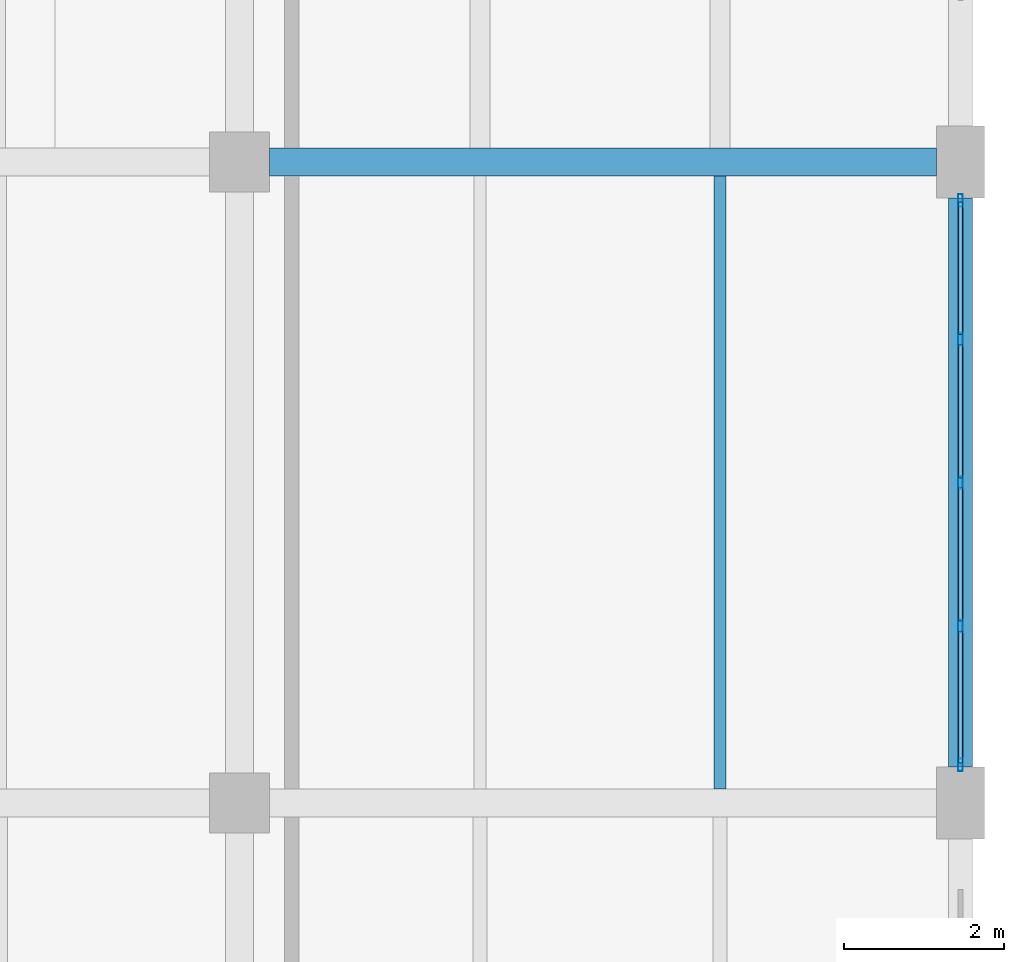
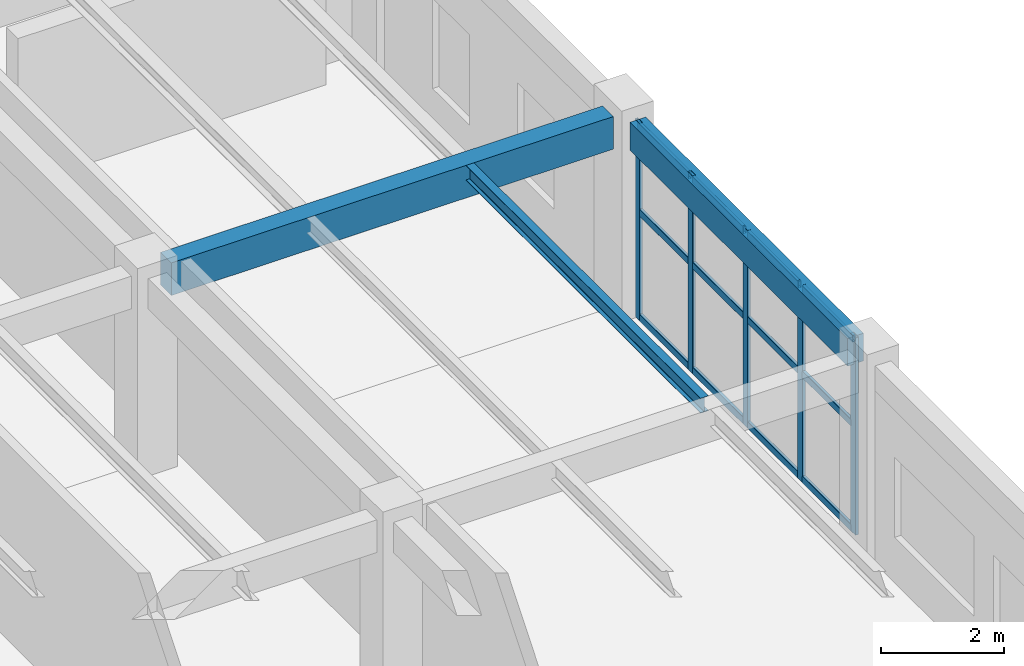
# One storey, part 81 of 128: 17 members, 3 beams, 1 element without a shape of its own.
"""IFC4 building model written with IfcOpenShell, lengths in metres."""

import ifcopenshell
import ifcopenshell.guid

model = None  # the IFC model being written
_history = None  # IfcOwnerHistory: only IFC2X3 demands one
_inside = {}  # id of a spatial element -> (the spatial element, [elements in it])
_under = {}  # id of a project, library or spatial element -> (it, [spatial elements below it])
_declared = {}  # id of a project -> (the project, [libraries it declares])
_typed = {}  # id of a type object -> (the type object, [elements of that type])
_made_of = {}  # id of a material, layer set ... -> (it, [elements and type objects made of it])


def new_model(schema):
    """Start an empty IFC model of exactly this schema.

    Asked for "IFC4X3", IfcOpenShell would pick the latest addendum, in which some entities
    have other attributes; the version numbers below select the first issue.
    IFC2X3 requires an IfcOwnerHistory on every rooted entity: one is made here for all.
    """
    global model, _history
    if schema == "IFC4X3":
        model = ifcopenshell.file(schema_version=(4, 3, 0, 0))
    else:
        model = ifcopenshell.file(schema=schema)
    _inside.clear()
    _under.clear()
    _declared.clear()
    _typed.clear()
    _made_of.clear()
    _history = None
    if model.schema == "IFC2X3":
        org = make("IfcOrganization", Name="unknown")
        user = make(
            "IfcPersonAndOrganization",
            ThePerson=make("IfcPerson", FamilyName="unknown"),
            TheOrganization=org,
        )
        app = make(
            "IfcApplication",
            ApplicationDeveloper=org,
            Version="unknown",
            ApplicationFullName="unknown",
            ApplicationIdentifier="unknown",
        )
        _history = make(
            "IfcOwnerHistory",
            OwningUser=user,
            OwningApplication=app,
            ChangeAction="ADDED",
            CreationDate=0,
        )
    return model


def make(cls, **values):
    """One entity of the class cls with the attributes given. An attribute that is None is left unset."""
    return model.create_entity(
        cls, **{name: value for name, value in values.items() if value is not None}
    )


def rooted(cls, **values):
    """An entity with a GlobalId (a new one), such as an element, a storey or a relation."""
    return make(cls, GlobalId=ifcopenshell.guid.new(), OwnerHistory=_history, **values)


def si_unit(unit_type, name, prefix=None):
    """IfcSIUnit, for example si_unit("LENGTHUNIT", "METRE", prefix="MILLI")."""
    return make("IfcSIUnit", UnitType=unit_type, Prefix=prefix, Name=name)


def derived_unit(unit_type, elements):
    """IfcDerivedUnit: a product of units, each with its exponent."""
    return make(
        "IfcDerivedUnit",
        Elements=[
            make("IfcDerivedUnitElement", Unit=unit, Exponent=power)
            for unit, power in elements
        ],
        UnitType=unit_type,
    )


def assignment(units):
    """IfcUnitAssignment: the units of a project."""
    return None if units is None else make("IfcUnitAssignment", Units=units)


def point(xyz):
    """IfcCartesianPoint."""
    return None if xyz is None else make("IfcCartesianPoint", Coordinates=xyz)


def direction(xyz):
    """IfcDirection."""
    return None if xyz is None else make("IfcDirection", DirectionRatios=xyz)


def frame(location, z_axis=None, x_axis=None):
    """IfcAxis2Placement3D, a coordinate frame: its origin and axes. An axis left out is left unset."""
    return make(
        "IfcAxis2Placement3D",
        Location=point(location),
        Axis=direction(z_axis),
        RefDirection=direction(x_axis),
    )


def frame_2d(location, x_axis=None):
    """IfcAxis2Placement2D, a coordinate frame in the plane: its origin and x axis."""
    return make(
        "IfcAxis2Placement2D", Location=point(location), RefDirection=direction(x_axis)
    )


def origin():
    """The frame at (0, 0, 0) with its axes left unset."""
    return frame((0.0, 0.0, 0.0))


def origin_2d():
    """The frame at (0, 0) in the plane with its x axis left unset."""
    return frame_2d((0.0, 0.0))


def place(relative_to, where):
    """IfcLocalPlacement: puts the frame where relative to a parent placement (None: the world)."""
    return make(
        "IfcLocalPlacement", PlacementRelTo=relative_to, RelativePlacement=where
    )


def context(
    kind, dimensions, precision=None, world=None, true_north=None, identifier=None
):
    """IfcGeometricRepresentationContext, for example the 3D "Model" context."""
    return make(
        "IfcGeometricRepresentationContext",
        ContextIdentifier=identifier,
        ContextType=kind,
        CoordinateSpaceDimension=dimensions,
        Precision=precision,
        WorldCoordinateSystem=world,
        TrueNorth=true_north,
    )


def subcontext(parent, identifier, kind, view, scale=None):
    """IfcGeometricRepresentationSubContext, for example "Body" below "Model"."""
    return make(
        "IfcGeometricRepresentationSubContext",
        ContextIdentifier=identifier,
        ContextType=kind,
        ParentContext=parent,
        TargetScale=scale,
        TargetView=view,
    )


def project(units=None, contexts=None):
    """IfcProject with its units and contexts."""
    return rooted(
        "IfcProject",
        Name="project",
        RepresentationContexts=contexts,
        UnitsInContext=assignment(units),
    )


def spatial(cls, under=None, at=None, **own):
    """A site, building, storey or space (cls), placed at a placement, below another one or the project."""
    s = rooted(cls, ObjectPlacement=at, **own)
    if under is not None:
        _under.setdefault(under.id(), (under, []))[1].append(s)
    return s


def profile(cls, at=None, kind="AREA", **sizes):
    """A parametric profile (cls). Its sizes go by their IFC names, for example OverallWidth=200.0."""
    return make(cls, ProfileType=kind, Position=at, **sizes)


def rectangle(**sizes):
    """IfcRectangleProfileDef."""
    return profile("IfcRectangleProfileDef", **sizes)


def hollow_rectangle(**sizes):
    """IfcRectangleHollowProfileDef."""
    return profile("IfcRectangleHollowProfileDef", **sizes)


def i_section(**sizes):
    """IfcIShapeProfileDef."""
    return profile("IfcIShapeProfileDef", **sizes)


def extrude(swept, where, along, depth):
    """IfcExtrudedAreaSolid: the profile swept, set in the frame where, extruded along a direction by depth."""
    return make(
        "IfcExtrudedAreaSolid",
        SweptArea=swept,
        Position=where,
        ExtrudedDirection=direction(along),
        Depth=depth,
    )


def shape(context_of_items, identifier, shape_type, items):
    """IfcShapeRepresentation: the items that make up one representation, for example the "Body"."""
    return make(
        "IfcShapeRepresentation",
        ContextOfItems=context_of_items,
        RepresentationIdentifier=identifier,
        RepresentationType=shape_type,
        Items=items,
    )


def material(Name=None, Category=None):
    """IfcMaterial."""
    return make("IfcMaterial", Name=Name, Category=Category)


def material_profile(
    of_material, cross_section, Name=None, Category=None, Priority=None
):
    """IfcMaterialProfile: a cross section and its material."""
    return make(
        "IfcMaterialProfile",
        Name=Name,
        Material=of_material,
        Profile=cross_section,
        Priority=Priority,
        Category=Category,
    )


def profile_set(profiles, Name=None, composite=None):
    """IfcMaterialProfileSet."""
    return make(
        "IfcMaterialProfileSet",
        Name=Name,
        MaterialProfiles=profiles,
        CompositeProfile=composite,
    )


def made_of(thing, what):
    """Note that an element or type object is made of a material, layer set ...; save() writes the relation."""
    if what is not None:
        _made_of.setdefault(what.id(), (what, []))[1].append(thing)
    return thing


def type_object(cls, material=None, **own):
    """A type object (cls), such as IfcWallType, which elements share."""
    return made_of(rooted(cls, **own), material)


def element(
    cls,
    number,
    at=None,
    inside=None,
    cuts=None,
    type_object=None,
    material=None,
    context=None,
    identifier="Body",
    shape_type=None,
    held_by="IfcProductDefinitionShape",
    body=None,
    shapes=None,
    **own,
):
    """One element of the class cls, such as IfcWall. Its Tag is "e" and its number.

    at: its placement. inside: the storey or other place that contains it. cuts: it is an
    opening in that element (IfcRelVoidsElement). A single representation is given by context,
    identifier, shape_type and body (its items); several are given by shapes. held_by: the class
    of the entity that holds the representations. save() writes the other relations.
    """
    e = rooted(cls, Tag="e%d" % number, ObjectPlacement=at, **own)
    if body is not None:
        shapes = [shape(context, identifier, shape_type, body)]
    if shapes is not None:
        e.Representation = make(held_by, Representations=shapes)
    if inside is not None:
        _inside.setdefault(inside.id(), (inside, []))[1].append(e)
    if cuts is not None:
        rooted(
            "IfcRelVoidsElement", RelatingBuildingElement=cuts, RelatedOpeningElement=e
        )
    if type_object is not None:
        _typed.setdefault(type_object.id(), (type_object, []))[1].append(e)
    return made_of(e, material)


def aggregate(whole, parts):
    """IfcRelAggregates: a whole, such as a stair, and the parts it consists of."""
    return rooted("IfcRelAggregates", RelatingObject=whole, RelatedObjects=parts)


def save(model, path):
    """Write the relations noted so far, then the file.

    IfcRelAggregates (storeys below a building ...), IfcRelContainedInSpatialStructure (elements
    in a storey), IfcRelDefinesByType, IfcRelAssociatesMaterial and IfcRelDeclares: one each for
    every whole, place, type object, material and project.
    """
    for whole, parts in _under.values():
        aggregate(whole, parts)
    for where, things in _inside.values():
        rooted(
            "IfcRelContainedInSpatialStructure",
            RelatedElements=things,
            RelatingStructure=where,
        )
    for kind, things in _typed.values():
        rooted("IfcRelDefinesByType", RelatedObjects=things, RelatingType=kind)
    for what, things in _made_of.values():
        rooted("IfcRelAssociatesMaterial", RelatedObjects=things, RelatingMaterial=what)
    for by, libraries in _declared.values():
        rooted("IfcRelDeclares", RelatingContext=by, RelatedDefinitions=libraries)
    model.write(path)


model = new_model("IFC4")

# Units and contexts
model_context = context("Model", 3, precision=1e-05, world=origin(), true_north=direction((0.0, 1.0)))
body_context = subcontext(model_context, "Body", "Model", "MODEL_VIEW")
ifc_project = project(units=[si_unit("LENGTHUNIT", "METRE"), si_unit("AREAUNIT", "SQUARE_METRE"), si_unit("VOLUMEUNIT", "CUBIC_METRE"), si_unit("PLANEANGLEUNIT", "RADIAN"), si_unit("MASSUNIT", "GRAM", prefix="KILO"), derived_unit("THERMALTRANSMITTANCEUNIT", [(si_unit("MASSUNIT", "GRAM", prefix="KILO"), 1), (si_unit("TIMEUNIT", "SECOND"), -3), (si_unit("THERMODYNAMICTEMPERATUREUNIT", "KELVIN"), -1)])], contexts=[model_context])

# Site, building, storey
site_placement = place(None, origin())
site = spatial("IfcSite", under=ifc_project, at=site_placement, CompositionType="ELEMENT")
building_placement = place(site_placement, origin())
building = spatial("IfcBuilding", under=site, at=building_placement, Name="Zhenchuan Archway Interchange", CompositionType="ELEMENT")
storey_placement = place(building_placement, frame((0.0, 0.0, 14.39990234375)))
storey = spatial("IfcBuildingStorey", under=building, at=storey_placement, Name="L03", CompositionType="ELEMENT", Elevation=14.39990234375)

# Beam
ifc_material_1 = material(Name="Concrete C40", Category="concrete")
ifc_material_profile_1 = material_profile(ifc_material_1, rectangle(XDim=0.35009765625, YDim=0.64990234375, at=origin_2d()), Name="RC 350x650")
ifc_profile_set_1 = profile_set([ifc_material_profile_1], Name="Concrete C40")
beam_type_1 = type_object("IfcBeamType", Name="BM_RC_350x650", PredefinedType="BEAM", material=ifc_profile_set_1)
beam_1_placement = place(storey_placement, frame((162.375, 40.0, 3.60498046875), z_axis=(1.0, 0.0, 0.0), x_axis=(0.0, 1.0, 0.0)))
element("IfcBeam", 1, at=beam_1_placement, inside=storey, type_object=beam_type_1, Name="Beam F:19-20 (L03)", PredefinedType="BEAM", context=body_context, shape_type="SweptSolid", body=[
    extrude(rectangle(XDim=0.35009765625, YDim=0.64990234375, at=origin_2d()), origin(), (0.0, 0.0, 1.0), 8.324951171875),
])

# Curtain wall, members
ifc_material_2 = material(Name="Anodised Aluminium", Category="aluminium")
curtain_wall_type = type_object("IfcCurtainWallType", Name="CW_UNIT_2", PredefinedType="NOTDEFINED", material=ifc_material_2)
curtain_wall_placement = place(storey_placement, origin())
curtain_wall = element("IfcCurtainWall", 2, at=curtain_wall_placement, inside=storey, type_object=curtain_wall_type, Name="Unitised curtain wall CW:L03:181", PredefinedType="NOTDEFINED")
ifc_material_profile_2 = material_profile(ifc_material_2, hollow_rectangle(XDim=0.06005859375, YDim=0.159912109375, WallThickness=0.00390625, InnerFilletRadius=0.00390625, OuterFilletRadius=0.008056640625, at=origin_2d()), Name="ALU 160x60x4")
ifc_profile_set_2 = profile_set([ifc_material_profile_2], Name="Anodised Aluminium")
member_type_1 = type_object("IfcMemberType", Name="CW_MUL_150", PredefinedType="MULLION", material=ifc_profile_set_2)
member_1_placement = place(storey_placement, frame((171.0, 39.52197265625, 0.0), z_axis=(0.0, 0.0, 1.0), x_axis=(1.0, 0.0, 0.0)))
member_1 = element("IfcMember", 3, at=member_1_placement, type_object=member_type_1, Name="CW:L03:181 mullion 0", PredefinedType="MULLION", context=body_context, shape_type="SweptSolid", body=[
    extrude(hollow_rectangle(XDim=0.06005859375, YDim=0.159912109375, WallThickness=0.00390625, InnerFilletRadius=0.00390625, OuterFilletRadius=0.008056640625, at=origin_2d()), origin(), (0.0, 0.0, 1.0), 3.93017578125),
])
member_2_placement = place(storey_placement, frame((171.0, 37.791015625, 0.0), z_axis=(0.0, 0.0, 1.0), x_axis=(1.0, 0.0, 0.0)))
member_2 = element("IfcMember", 4, at=member_2_placement, type_object=member_type_1, Name="CW:L03:181 mullion 1", PredefinedType="MULLION", context=body_context, shape_type="SweptSolid", body=[
    extrude(hollow_rectangle(XDim=0.06005859375, YDim=0.159912109375, WallThickness=0.00390625, InnerFilletRadius=0.00390625, OuterFilletRadius=0.008056640625, at=origin_2d()), origin(), (0.0, 0.0, 1.0), 3.93017578125),
])
member_3_placement = place(storey_placement, frame((171.0, 36.0, 0.0), z_axis=(0.0, 0.0, 1.0), x_axis=(1.0, 0.0, 0.0)))
member_3 = element("IfcMember", 5, at=member_3_placement, type_object=member_type_1, Name="CW:L03:181 mullion 2", PredefinedType="MULLION", context=body_context, shape_type="SweptSolid", body=[
    extrude(hollow_rectangle(XDim=0.06005859375, YDim=0.159912109375, WallThickness=0.00390625, InnerFilletRadius=0.00390625, OuterFilletRadius=0.008056640625, at=origin_2d()), origin(), (0.0, 0.0, 1.0), 3.93017578125),
])
member_4_placement = place(storey_placement, frame((171.0, 34.208984375, 0.0), z_axis=(0.0, 0.0, 1.0), x_axis=(1.0, 0.0, 0.0)))
member_4 = element("IfcMember", 6, at=member_4_placement, type_object=member_type_1, Name="CW:L03:181 mullion 3", PredefinedType="MULLION", context=body_context, shape_type="SweptSolid", body=[
    extrude(hollow_rectangle(XDim=0.06005859375, YDim=0.159912109375, WallThickness=0.00390625, InnerFilletRadius=0.00390625, OuterFilletRadius=0.008056640625, at=origin_2d()), origin(), (0.0, 0.0, 1.0), 3.93017578125),
])
member_5_placement = place(storey_placement, frame((171.0, 32.47802734375, 0.0), z_axis=(0.0, 0.0, 1.0), x_axis=(1.0, 0.0, 0.0)))
member_5 = element("IfcMember", 7, at=member_5_placement, type_object=member_type_1, Name="CW:L03:181 mullion 4", PredefinedType="MULLION", context=body_context, shape_type="SweptSolid", body=[
    extrude(hollow_rectangle(XDim=0.06005859375, YDim=0.159912109375, WallThickness=0.00390625, InnerFilletRadius=0.00390625, OuterFilletRadius=0.008056640625, at=origin_2d()), origin(), (0.0, 0.0, 1.0), 3.93017578125),
])
ifc_material_profile_3 = material_profile(ifc_material_2, hollow_rectangle(XDim=0.06005859375, YDim=0.139892578125, WallThickness=0.00341796875, InnerFilletRadius=0.00341796875, OuterFilletRadius=0.007080078125, at=origin_2d()), Name="ALU 140x60x3.5")
ifc_profile_set_3 = profile_set([ifc_material_profile_3], Name="Anodised Aluminium")
member_type_2 = type_object("IfcMemberType", Name="CW_TRN_140", PredefinedType="USERDEFINED", material=ifc_profile_set_3)
member_6_placement = place(storey_placement, frame((171.0, 39.501953125, 0.06005859375), z_axis=(0.0, -1.0, 0.0), x_axis=(1.0, 0.0, 0.0)))
member_6 = element("IfcMember", 8, at=member_6_placement, type_object=member_type_2, Name="CW:L03:181 transom 0-1", ObjectType="TRANSOM", PredefinedType="USERDEFINED", context=body_context, shape_type="SweptSolid", body=[
    extrude(hollow_rectangle(XDim=0.06005859375, YDim=0.139892578125, WallThickness=0.00341796875, InnerFilletRadius=0.00341796875, OuterFilletRadius=0.007080078125, at=origin_2d()), origin(), (0.0, 0.0, 1.0), 1.65087890625),
])
member_7_placement = place(storey_placement, frame((171.0, 39.501953125, 2.150634765625), z_axis=(0.0, -1.0, 0.0), x_axis=(1.0, 0.0, 0.0)))
member_7 = element("IfcMember", 9, at=member_7_placement, type_object=member_type_2, Name="CW:L03:181 transom 0-2", ObjectType="TRANSOM", PredefinedType="USERDEFINED", context=body_context, shape_type="SweptSolid", body=[
    extrude(hollow_rectangle(XDim=0.06005859375, YDim=0.139892578125, WallThickness=0.00341796875, InnerFilletRadius=0.00341796875, OuterFilletRadius=0.007080078125, at=origin_2d()), origin(), (0.0, 0.0, 1.0), 1.65087890625),
])
member_8_placement = place(storey_placement, frame((171.0, 39.501953125, 3.85009765625), z_axis=(0.0, -1.0, 0.0), x_axis=(1.0, 0.0, 0.0)))
member_8 = element("IfcMember", 10, at=member_8_placement, type_object=member_type_2, Name="CW:L03:181 transom 0-3", ObjectType="TRANSOM", PredefinedType="USERDEFINED", context=body_context, shape_type="SweptSolid", body=[
    extrude(hollow_rectangle(XDim=0.06005859375, YDim=0.139892578125, WallThickness=0.00341796875, InnerFilletRadius=0.00341796875, OuterFilletRadius=0.007080078125, at=origin_2d()), origin(), (0.0, 0.0, 1.0), 1.65087890625),
])
member_9_placement = place(storey_placement, frame((171.0, 37.73095703125, 0.06005859375), z_axis=(0.0, -1.0, 0.0), x_axis=(1.0, 0.0, 0.0)))
member_9 = element("IfcMember", 11, at=member_9_placement, type_object=member_type_2, Name="CW:L03:181 transom 1-1", ObjectType="TRANSOM", PredefinedType="USERDEFINED", context=body_context, shape_type="SweptSolid", body=[
    extrude(hollow_rectangle(XDim=0.06005859375, YDim=0.139892578125, WallThickness=0.00341796875, InnerFilletRadius=0.00341796875, OuterFilletRadius=0.007080078125, at=origin_2d()), origin(), (0.0, 0.0, 1.0), 1.6708984375),
])
member_10_placement = place(storey_placement, frame((171.0, 37.73095703125, 2.150634765625), z_axis=(0.0, -1.0, 0.0), x_axis=(1.0, 0.0, 0.0)))
member_10 = element("IfcMember", 12, at=member_10_placement, type_object=member_type_2, Name="CW:L03:181 transom 1-2", ObjectType="TRANSOM", PredefinedType="USERDEFINED", context=body_context, shape_type="SweptSolid", body=[
    extrude(hollow_rectangle(XDim=0.06005859375, YDim=0.139892578125, WallThickness=0.00341796875, InnerFilletRadius=0.00341796875, OuterFilletRadius=0.007080078125, at=origin_2d()), origin(), (0.0, 0.0, 1.0), 1.6708984375),
])
member_11_placement = place(storey_placement, frame((171.0, 37.73095703125, 3.85009765625), z_axis=(0.0, -1.0, 0.0), x_axis=(1.0, 0.0, 0.0)))
member_11 = element("IfcMember", 13, at=member_11_placement, type_object=member_type_2, Name="CW:L03:181 transom 1-3", ObjectType="TRANSOM", PredefinedType="USERDEFINED", context=body_context, shape_type="SweptSolid", body=[
    extrude(hollow_rectangle(XDim=0.06005859375, YDim=0.139892578125, WallThickness=0.00341796875, InnerFilletRadius=0.00341796875, OuterFilletRadius=0.007080078125, at=origin_2d()), origin(), (0.0, 0.0, 1.0), 1.6708984375),
])
member_12_placement = place(storey_placement, frame((171.0, 35.93994140625, 0.06005859375), z_axis=(0.0, -1.0, 0.0), x_axis=(1.0, 0.0, 0.0)))
member_12 = element("IfcMember", 14, at=member_12_placement, type_object=member_type_2, Name="CW:L03:181 transom 2-1", ObjectType="TRANSOM", PredefinedType="USERDEFINED", context=body_context, shape_type="SweptSolid", body=[
    extrude(hollow_rectangle(XDim=0.06005859375, YDim=0.139892578125, WallThickness=0.00341796875, InnerFilletRadius=0.00341796875, OuterFilletRadius=0.007080078125, at=origin_2d()), origin(), (0.0, 0.0, 1.0), 1.6708984375),
])
member_13_placement = place(storey_placement, frame((171.0, 35.93994140625, 2.150634765625), z_axis=(0.0, -1.0, 0.0), x_axis=(1.0, 0.0, 0.0)))
member_13 = element("IfcMember", 15, at=member_13_placement, type_object=member_type_2, Name="CW:L03:181 transom 2-2", ObjectType="TRANSOM", PredefinedType="USERDEFINED", context=body_context, shape_type="SweptSolid", body=[
    extrude(hollow_rectangle(XDim=0.06005859375, YDim=0.139892578125, WallThickness=0.00341796875, InnerFilletRadius=0.00341796875, OuterFilletRadius=0.007080078125, at=origin_2d()), origin(), (0.0, 0.0, 1.0), 1.6708984375),
])
member_14_placement = place(storey_placement, frame((171.0, 35.93994140625, 3.85009765625), z_axis=(0.0, -1.0, 0.0), x_axis=(1.0, 0.0, 0.0)))
member_14 = element("IfcMember", 16, at=member_14_placement, type_object=member_type_2, Name="CW:L03:181 transom 2-3", ObjectType="TRANSOM", PredefinedType="USERDEFINED", context=body_context, shape_type="SweptSolid", body=[
    extrude(hollow_rectangle(XDim=0.06005859375, YDim=0.139892578125, WallThickness=0.00341796875, InnerFilletRadius=0.00341796875, OuterFilletRadius=0.007080078125, at=origin_2d()), origin(), (0.0, 0.0, 1.0), 1.6708984375),
])
member_15_placement = place(storey_placement, frame((171.0, 34.14892578125, 0.06005859375), z_axis=(0.0, -1.0, 0.0), x_axis=(1.0, 0.0, 0.0)))
member_15 = element("IfcMember", 17, at=member_15_placement, type_object=member_type_2, Name="CW:L03:181 transom 3-1", ObjectType="TRANSOM", PredefinedType="USERDEFINED", context=body_context, shape_type="SweptSolid", body=[
    extrude(hollow_rectangle(XDim=0.06005859375, YDim=0.139892578125, WallThickness=0.00341796875, InnerFilletRadius=0.00341796875, OuterFilletRadius=0.007080078125, at=origin_2d()), origin(), (0.0, 0.0, 1.0), 1.65087890625),
])
member_16_placement = place(storey_placement, frame((171.0, 34.14892578125, 2.150634765625), z_axis=(0.0, -1.0, 0.0), x_axis=(1.0, 0.0, 0.0)))
member_16 = element("IfcMember", 18, at=member_16_placement, type_object=member_type_2, Name="CW:L03:181 transom 3-2", ObjectType="TRANSOM", PredefinedType="USERDEFINED", context=body_context, shape_type="SweptSolid", body=[
    extrude(hollow_rectangle(XDim=0.06005859375, YDim=0.139892578125, WallThickness=0.00341796875, InnerFilletRadius=0.00341796875, OuterFilletRadius=0.007080078125, at=origin_2d()), origin(), (0.0, 0.0, 1.0), 1.65087890625),
])
member_17_placement = place(storey_placement, frame((171.0, 34.14892578125, 3.85009765625), z_axis=(0.0, -1.0, 0.0), x_axis=(1.0, 0.0, 0.0)))
member_17 = element("IfcMember", 19, at=member_17_placement, type_object=member_type_2, Name="CW:L03:181 transom 3-3", ObjectType="TRANSOM", PredefinedType="USERDEFINED", context=body_context, shape_type="SweptSolid", body=[
    extrude(hollow_rectangle(XDim=0.06005859375, YDim=0.139892578125, WallThickness=0.00341796875, InnerFilletRadius=0.00341796875, OuterFilletRadius=0.007080078125, at=origin_2d()), origin(), (0.0, 0.0, 1.0), 1.65087890625),
])
aggregate(curtain_wall, [member_1, member_2, member_3, member_4, member_5, member_6, member_7, member_8, member_9, member_10, member_11, member_12, member_13, member_14, member_15, member_16, member_17])

# Beams
ifc_material_3 = material(Name="Steel Q355", Category="steel")
ifc_material_profile_4 = material_profile(ifc_material_3, i_section(OverallWidth=0.14990234375, OverallDepth=0.300048828125, WebThickness=0.006591796875, FlangeThickness=0.009033203125, FilletRadius=0.012939453125, at=origin_2d()), Name="HN 300x150")
ifc_profile_set_4 = profile_set([ifc_material_profile_4], Name="Steel Q355")
beam_type_2 = type_object("IfcBeamType", Name="JST_STL_HN300", PredefinedType="JOIST", material=ifc_profile_set_4)
beam_2_placement = place(storey_placement, frame((168.0, 32.175048828125, 3.780029296875), z_axis=(0.0, 1.0, 0.0), x_axis=(-1.0, 0.0, 0.0)))
element("IfcBeam", 20, at=beam_2_placement, inside=storey, type_object=beam_type_2, Name="Secondary joist 19-20/E-F #2 (L03)", PredefinedType="JOIST", context=body_context, shape_type="SweptSolid", body=[
    extrude(i_section(OverallWidth=0.14990234375, OverallDepth=0.300048828125, WebThickness=0.006591796875, FlangeThickness=0.009033203125, FilletRadius=0.012939453125, at=origin_2d()), origin(), (0.0, 0.0, 1.0), 7.64990234375),
])
ifc_material_profile_5 = material_profile(ifc_material_1, rectangle(XDim=0.300048828125, YDim=0.550048828125, at=origin_2d()), Name="RC 300x550")
ifc_profile_set_5 = profile_set([ifc_material_profile_5], Name="Concrete C40")
beam_type_3 = type_object("IfcBeamType", Name="SP_RC_300x550", PredefinedType="SPANDREL", material=ifc_profile_set_5)
beam_3_placement = place(storey_placement, frame((171.0, 32.449951171875, 3.655029296875), z_axis=(0.0, 1.0, 0.0), x_axis=(-1.0, 0.0, 0.0)))
element("IfcBeam", 21, at=beam_3_placement, inside=storey, type_object=beam_type_3, Name="Beam 20:E-F (L03)", PredefinedType="SPANDREL", context=body_context, shape_type="SweptSolid", body=[
    extrude(rectangle(XDim=0.300048828125, YDim=0.550048828125, at=origin_2d()), origin(), (0.0, 0.0, 1.0), 7.10009765625),
])

save(model, "model.ifc")
